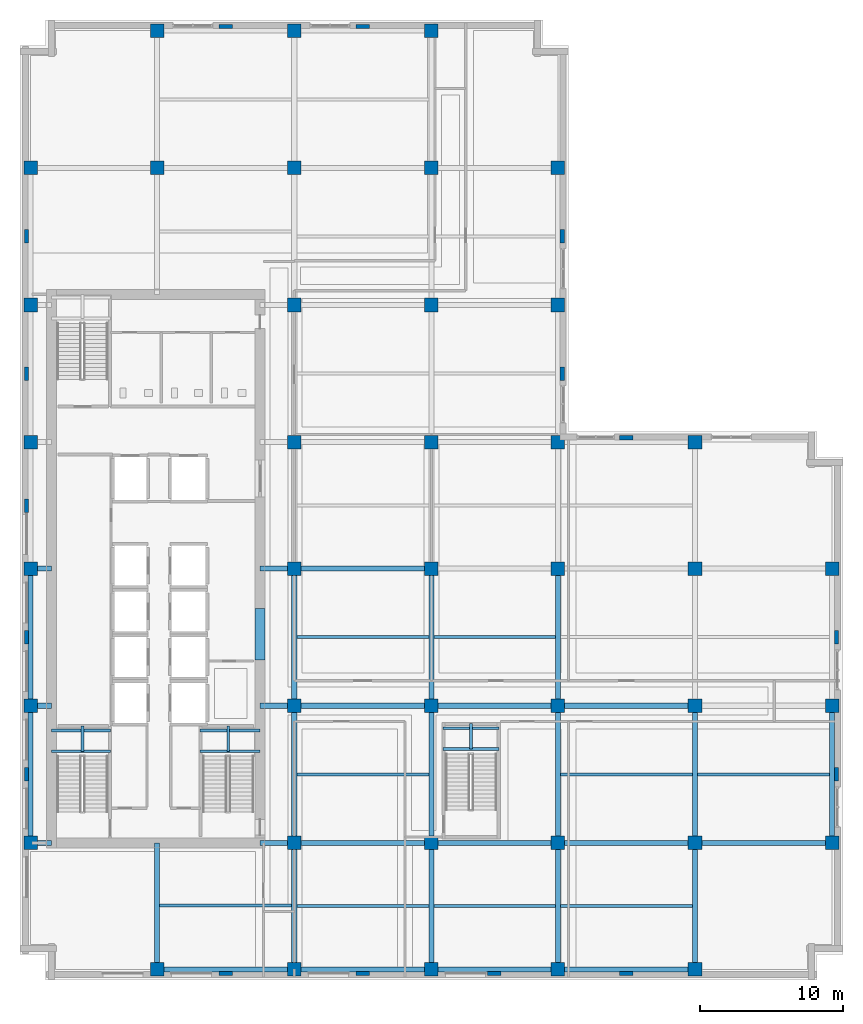
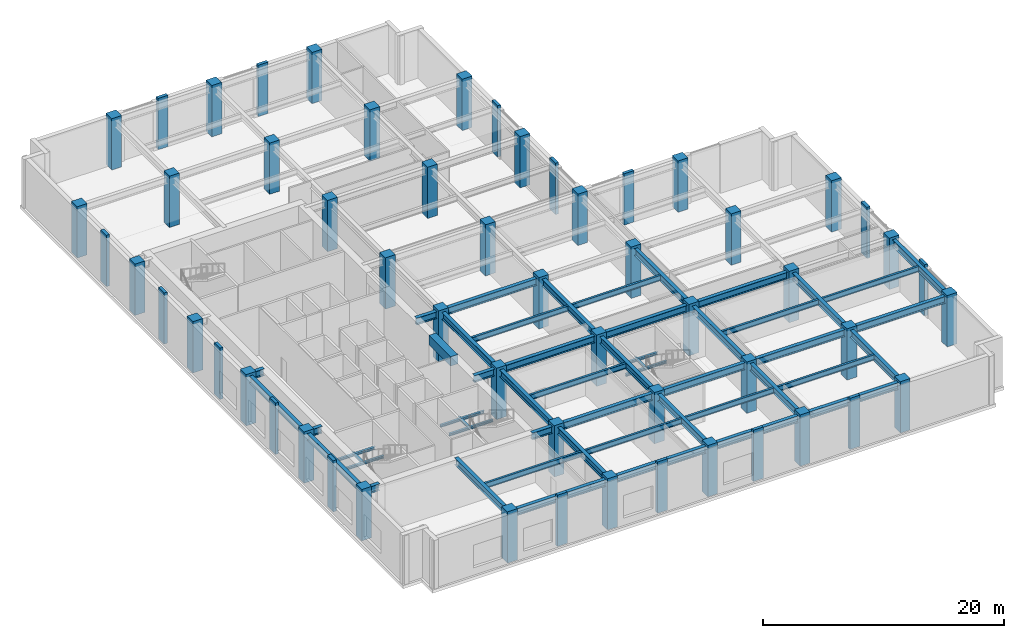
# One storey, part 1 of 18: 56 columns, 52 beams.
"""IFC4 building model written with IfcOpenShell, lengths in metres."""

from ifc_helpers import new_model, si_unit, direction, frame, origin, origin_2d, place, context, subcontext, project, spatial, rectangle, i_section, extrude, material, material_profile, profile_set, type_object, element, save


model = new_model("IFC4")

# Units and contexts
model_context = context("Model", 3, precision=1e-05, world=origin(), true_north=direction((0.0, 1.0)))
body_context = subcontext(model_context, "Body", "Model", "MODEL_VIEW")
ifc_project = project(units=[si_unit("LENGTHUNIT", "METRE"), si_unit("AREAUNIT", "SQUARE_METRE"), si_unit("VOLUMEUNIT", "CUBIC_METRE"), si_unit("PLANEANGLEUNIT", "RADIAN"), si_unit("MASSUNIT", "GRAM", prefix="KILO")], contexts=[model_context])

# Site, building, storey
site_placement = place(None, origin())
site = spatial("IfcSite", under=ifc_project, at=site_placement, CompositionType="ELEMENT")
building_placement = place(site_placement, origin())
building = spatial("IfcBuilding", under=site, at=building_placement, Name="Norrvale University Quadrangle", CompositionType="ELEMENT")
storey_placement = place(building_placement, frame((0.0, 0.0, 150.800048828125)))
storey = spatial("IfcBuildingStorey", under=building, at=storey_placement, Name="L38", CompositionType="ELEMENT", Elevation=150.800048828125)

# Columns
ifc_material_1 = material(Name="Red Manganese Brick Concrete C60/75", Category="concrete")
ifc_material_profile_1 = material_profile(ifc_material_1, rectangle(XDim=0.949951171875, YDim=0.300048828125, at=origin_2d()), Name="Red Manganese Brick Concrete C60/75")
ifc_profile_set_1 = profile_set([ifc_material_profile_1], Name="Red Manganese Brick Concrete C60/75")
column_type_1 = type_object("IfcColumnType", Name="Column Brick Pier 950x300", PredefinedType="PILASTER", material=ifc_profile_set_1)
for number, where, z_axis, x_axis, name in (
    (1, (0.449951171875, 14.39990234375, 0.0), (0.0, 0.0, 1.0), (0.0, 1.0, 0.0), "Exterior Brick Facade Pilaster L38-01"),
    (2, (0.449951171875, 24.0, 0.0), (0.0, 0.0, 1.0), (0.0, 1.0, 0.0), "Exterior Brick Facade Pilaster L38-02"),
    (3, (0.449951171875, 33.199951171875, 0.0), (0.0, 0.0, 1.0), (0.0, 1.0, 0.0), "Exterior Brick Facade Pilaster L38-03"),
    (4, (0.449951171875, 42.449951171875, 0.0), (0.0, 0.0, 1.0), (0.0, 1.0, 0.0), "Exterior Brick Facade Pilaster L38-04"),
    (5, (0.449951171875, 52.050048828125, 0.0), (0.0, 0.0, 1.0), (0.0, 1.0, 0.0), "Exterior Brick Facade Pilaster L38-05"),
    (6, (14.39990234375, 0.449951171875, 0.0), (0.0, 0.0, 1.0), (1.0, 0.0, 0.0), "Exterior Brick Facade Pilaster L38-06"),
    (7, (24.0, 0.449951171875, 0.0), (0.0, 0.0, 1.0), (1.0, 0.0, 0.0), "Exterior Brick Facade Pilaster L38-07"),
    (8, (33.199951171875, 0.449951171875, 0.0), (0.0, 0.0, 1.0), (1.0, 0.0, 0.0), "Exterior Brick Facade Pilaster L38-08"),
    (9, (42.449951171875, 0.449951171875, 0.0), (0.0, 0.0, 1.0), (1.0, 0.0, 0.0), "Exterior Brick Facade Pilaster L38-09"),
    (10, (57.14990234375, 14.39990234375, 0.0), (0.0, 0.0, 1.0), (0.0, 1.0, 0.0), "Exterior Brick Facade Pilaster L38-10"),
    (11, (57.14990234375, 24.0, 0.0), (0.0, 0.0, 1.0), (0.0, 1.0, 0.0), "Exterior Brick Facade Pilaster L38-11"),
    (12, (14.39990234375, 66.75, 0.0), (0.0, 0.0, 1.0), (1.0, 0.0, 0.0), "Exterior Brick Facade Pilaster L38-12"),
    (13, (24.0, 66.75, 0.0), (0.0, 0.0, 1.0), (1.0, 0.0, 0.0), "Exterior Brick Facade Pilaster L38-13"),
    (14, (37.949951171875, 42.449951171875, 0.0), (0.0, 0.0, 1.0), (0.0, 1.0, 0.0), "Exterior Brick Facade Pilaster L38-14"),
    (15, (37.949951171875, 52.050048828125, 0.0), (0.0, 0.0, 1.0), (0.0, 1.0, 0.0), "Exterior Brick Facade Pilaster L38-15"),
    (16, (42.449951171875, 37.949951171875, 0.0), (0.0, 0.0, 1.0), (1.0, 0.0, 0.0), "Exterior Brick Facade Pilaster L38-16"),
):
    element("IfcColumn", number, at=place(storey_placement, frame(where, z_axis=z_axis, x_axis=x_axis)), inside=storey, type_object=column_type_1, Name=name, PredefinedType="PILASTER", context=body_context, shape_type="SweptSolid", body=[
        extrude(rectangle(XDim=0.949951171875, YDim=0.300048828125, at=origin_2d()), origin(), (0.0, 0.0, 1.0), 5.199951171875),
    ])
ifc_material_2 = material(Name="Concrete C60/75", Category="concrete")
ifc_material_profile_2 = material_profile(ifc_material_2, rectangle(XDim=0.949951171875, YDim=0.949951171875, at=origin_2d()), Name="Concrete C60/75")
ifc_profile_set_2 = profile_set([ifc_material_profile_2], Name="Concrete C60/75")
column_type_2 = type_object("IfcColumnType", Name="Column Tower Z2 950x950", PredefinedType="COLUMN", material=ifc_profile_set_2)
for number, where, z_axis, x_axis, name in (
    (17, (0.75, 9.60009765625, 0.0), (0.0, 0.0, 1.0), (1.0, 0.0, 0.0), "Tower Column L38-T01"),
    (18, (0.75, 19.199951171875, 0.0), (0.0, 0.0, 1.0), (1.0, 0.0, 0.0), "Tower Column L38-T02"),
    (19, (0.75, 28.800048828125, 0.0), (0.0, 0.0, 1.0), (1.0, 0.0, 0.0), "Tower Column L38-T03"),
    (20, (0.75, 37.64990234375, 0.0), (0.0, 0.0, 1.0), (1.0, 0.0, 0.0), "Tower Column L38-T04"),
    (21, (0.75, 47.25, 0.0), (0.0, 0.0, 1.0), (1.0, 0.0, 0.0), "Tower Column L38-T05"),
    (22, (0.75, 56.85009765625, 0.0), (0.0, 0.0, 1.0), (1.0, 0.0, 0.0), "Tower Column L38-T06"),
    (23, (9.60009765625, 0.75, 0.0), (0.0, 0.0, 1.0), (1.0, 0.0, 0.0), "Tower Column L38-T07"),
    (24, (9.60009765625, 56.85009765625, 0.0), (0.0, 0.0, 1.0), (1.0, 0.0, 0.0), "Tower Column L38-T08"),
    (25, (9.60009765625, 66.449951171875, 0.0), (0.0, 0.0, 1.0), (1.0, 0.0, 0.0), "Tower Column L38-T09"),
    (26, (19.199951171875, 0.75, 0.0), (0.0, 0.0, 1.0), (1.0, 0.0, 0.0), "Tower Column L38-T10"),
    (27, (19.199951171875, 9.60009765625, 0.0), (0.0, 0.0, 1.0), (1.0, 0.0, 0.0), "Tower Column L38-T11"),
    (28, (19.199951171875, 19.199951171875, 0.0), (0.0, 0.0, 1.0), (1.0, 0.0, 0.0), "Tower Column L38-T12"),
    (29, (19.199951171875, 28.800048828125, 0.0), (0.0, 0.0, 1.0), (1.0, 0.0, 0.0), "Tower Column L38-T13"),
    (30, (19.199951171875, 37.64990234375, 0.0), (0.0, 0.0, 1.0), (1.0, 0.0, 0.0), "Tower Column L38-T14"),
    (31, (19.199951171875, 47.25, 0.0), (0.0, 0.0, 1.0), (1.0, 0.0, 0.0), "Tower Column L38-T15"),
    (32, (19.199951171875, 56.85009765625, 0.0), (0.0, 0.0, 1.0), (1.0, 0.0, 0.0), "Tower Column L38-T16"),
    (33, (19.199951171875, 66.449951171875, 0.0), (0.0, 0.0, 1.0), (1.0, 0.0, 0.0), "Tower Column L38-T17"),
    (34, (28.800048828125, 0.75, 0.0), (0.0, 0.0, 1.0), (1.0, 0.0, 0.0), "Tower Column L38-T18"),
    (35, (28.800048828125, 9.60009765625, 0.0), (0.0, 0.0, 1.0), (1.0, 0.0, 0.0), "Tower Column L38-T19"),
    (36, (28.800048828125, 19.199951171875, 0.0), (0.0, 0.0, 1.0), (1.0, 0.0, 0.0), "Tower Column L38-T20"),
    (37, (28.800048828125, 28.800048828125, 0.0), (0.0, 0.0, 1.0), (1.0, 0.0, 0.0), "Tower Column L38-T21"),
    (38, (28.800048828125, 37.64990234375, 0.0), (0.0, 0.0, 1.0), (1.0, 0.0, 0.0), "Tower Column L38-T22"),
    (39, (28.800048828125, 47.25, 0.0), (0.0, 0.0, 1.0), (1.0, 0.0, 0.0), "Tower Column L38-T23"),
    (40, (28.800048828125, 56.85009765625, 0.0), (0.0, 0.0, 1.0), (1.0, 0.0, 0.0), "Tower Column L38-T24"),
    (41, (28.800048828125, 66.449951171875, 0.0), (0.0, 0.0, 1.0), (1.0, 0.0, 0.0), "Tower Column L38-T25"),
    (42, (37.64990234375, 0.75, 0.0), (0.0, 0.0, 1.0), (1.0, 0.0, 0.0), "Tower Column L38-T26"),
    (43, (37.64990234375, 9.60009765625, 0.0), (0.0, 0.0, 1.0), (1.0, 0.0, 0.0), "Tower Column L38-T27"),
    (44, (37.64990234375, 19.199951171875, 0.0), (0.0, 0.0, 1.0), (1.0, 0.0, 0.0), "Tower Column L38-T28"),
    (45, (37.64990234375, 28.800048828125, 0.0), (0.0, 0.0, 1.0), (1.0, 0.0, 0.0), "Tower Column L38-T29"),
    (46, (37.64990234375, 37.64990234375, 0.0), (0.0, 0.0, 1.0), (1.0, 0.0, 0.0), "Tower Column L38-T30"),
    (47, (37.64990234375, 47.25, 0.0), (0.0, 0.0, 1.0), (1.0, 0.0, 0.0), "Tower Column L38-T31"),
    (48, (37.64990234375, 56.85009765625, 0.0), (0.0, 0.0, 1.0), (1.0, 0.0, 0.0), "Tower Column L38-T32"),
    (49, (47.25, 0.75, 0.0), (0.0, 0.0, 1.0), (1.0, 0.0, 0.0), "Tower Column L38-T33"),
    (50, (47.25, 9.60009765625, 0.0), (0.0, 0.0, 1.0), (1.0, 0.0, 0.0), "Tower Column L38-T34"),
    (51, (47.25, 19.199951171875, 0.0), (0.0, 0.0, 1.0), (1.0, 0.0, 0.0), "Tower Column L38-T35"),
    (52, (47.25, 28.800048828125, 0.0), (0.0, 0.0, 1.0), (1.0, 0.0, 0.0), "Tower Column L38-T36"),
    (53, (47.25, 37.64990234375, 0.0), (0.0, 0.0, 1.0), (1.0, 0.0, 0.0), "Tower Column L38-T37"),
    (54, (56.85009765625, 9.60009765625, 0.0), (0.0, 0.0, 1.0), (1.0, 0.0, 0.0), "Tower Column L38-T38"),
    (55, (56.85009765625, 19.199951171875, 0.0), (0.0, 0.0, 1.0), (1.0, 0.0, 0.0), "Tower Column L38-T39"),
    (56, (56.85009765625, 28.800048828125, 0.0), (0.0, 0.0, 1.0), (1.0, 0.0, 0.0), "Tower Column L38-T40"),
):
    element("IfcColumn", number, at=place(storey_placement, frame(where, z_axis=z_axis, x_axis=x_axis)), inside=storey, type_object=column_type_2, Name=name, PredefinedType="COLUMN", context=body_context, shape_type="SweptSolid", body=[
        extrude(rectangle(XDim=0.949951171875, YDim=0.949951171875, at=origin_2d()), origin(), (0.0, 0.0, 1.0), 5.199951171875),
    ])

# Beams
ifc_material_3 = material(Name="Steel 350W", Category="steel")
ifc_material_profile_3 = material_profile(ifc_material_3, i_section(OverallWidth=0.35498046875, OverallDepth=0.695068359375, WebThickness=0.015380859375, FlangeThickness=0.02490234375, FilletRadius=0.01806640625, at=origin_2d()), Name="Steel 350W")
ifc_profile_set_3 = profile_set([ifc_material_profile_3], Name="Steel 350W")
beam_type_1 = type_object("IfcBeamType", Name="Beam Belt W690x217", PredefinedType="BEAM", material=ifc_profile_set_3)
beam_1_placement = place(storey_placement, frame((9.60009765625, 0.75, 4.592529296875), z_axis=(1.0, 0.0, 0.0), x_axis=(0.0, 1.0, 0.0)))
element("IfcBeam", 57, at=beam_1_placement, inside=storey, type_object=beam_type_1, Name="Beam Belt W690x217 BM-L38-GX001", PredefinedType="BEAM", context=body_context, shape_type="SweptSolid", body=[
    extrude(i_section(OverallWidth=0.35498046875, OverallDepth=0.695068359375, WebThickness=0.015380859375, FlangeThickness=0.02490234375, FilletRadius=0.01806640625, at=origin_2d()), origin(), (0.0, 0.0, 1.0), 9.599853515625),
])
beam_2_placement = place(storey_placement, frame((19.199951171875, 0.75, 4.592529296875), z_axis=(1.0, 0.0, 0.0), x_axis=(0.0, 1.0, 0.0)))
element("IfcBeam", 58, at=beam_2_placement, inside=storey, type_object=beam_type_1, Name="Beam Belt W690x217 BM-L38-GX002", PredefinedType="BEAM", context=body_context, shape_type="SweptSolid", body=[
    extrude(i_section(OverallWidth=0.35498046875, OverallDepth=0.695068359375, WebThickness=0.015380859375, FlangeThickness=0.02490234375, FilletRadius=0.01806640625, at=origin_2d()), origin(), (0.0, 0.0, 1.0), 9.60009765625),
])
beam_3_placement = place(storey_placement, frame((28.800048828125, 0.75, 4.592529296875), z_axis=(1.0, 0.0, 0.0), x_axis=(0.0, 1.0, 0.0)))
element("IfcBeam", 59, at=beam_3_placement, inside=storey, type_object=beam_type_1, Name="Beam Belt W690x217 BM-L38-GX003", PredefinedType="BEAM", context=body_context, shape_type="SweptSolid", body=[
    extrude(i_section(OverallWidth=0.35498046875, OverallDepth=0.695068359375, WebThickness=0.015380859375, FlangeThickness=0.02490234375, FilletRadius=0.01806640625, at=origin_2d()), origin(), (0.0, 0.0, 1.0), 8.849853515625),
])
for number, where, z_axis, x_axis, name in (
    (60, (37.64990234375, 0.75, 4.592529296875), (1.0, 0.0, 0.0), (0.0, 1.0, 0.0), "Beam Belt W690x217 BM-L38-GX004"),
    (61, (19.199951171875, 9.60009765625, 4.592529296875), (1.0, 0.0, 0.0), (0.0, 1.0, 0.0), "Beam Belt W690x217 BM-L38-GX005"),
):
    element("IfcBeam", number, at=place(storey_placement, frame(where, z_axis=z_axis, x_axis=x_axis)), inside=storey, type_object=beam_type_1, Name=name, PredefinedType="BEAM", context=body_context, shape_type="SweptSolid", body=[
        extrude(i_section(OverallWidth=0.35498046875, OverallDepth=0.695068359375, WebThickness=0.015380859375, FlangeThickness=0.02490234375, FilletRadius=0.01806640625, at=origin_2d()), origin(), (0.0, 0.0, 1.0), 9.60009765625),
    ])
beam_4_placement = place(storey_placement, frame((28.800048828125, 9.60009765625, 4.592529296875), z_axis=(1.0, 0.0, 0.0), x_axis=(0.0, 1.0, 0.0)))
element("IfcBeam", 62, at=beam_4_placement, inside=storey, type_object=beam_type_1, Name="Beam Belt W690x217 BM-L38-GX006", PredefinedType="BEAM", context=body_context, shape_type="SweptSolid", body=[
    extrude(i_section(OverallWidth=0.35498046875, OverallDepth=0.695068359375, WebThickness=0.015380859375, FlangeThickness=0.02490234375, FilletRadius=0.01806640625, at=origin_2d()), origin(), (0.0, 0.0, 1.0), 8.849853515625),
])
for number, where, z_axis, x_axis, name in (
    (63, (37.64990234375, 9.60009765625, 4.592529296875), (1.0, 0.0, 0.0), (0.0, 1.0, 0.0), "Beam Belt W690x217 BM-L38-GX007"),
    (64, (47.25, 9.60009765625, 4.592529296875), (1.0, 0.0, 0.0), (0.0, 1.0, 0.0), "Beam Belt W690x217 BM-L38-GX008"),
    (65, (19.199951171875, 19.199951171875, 4.592529296875), (1.0, 0.0, 0.0), (0.0, 1.0, 0.0), "Beam Belt W690x217 BM-L38-GX009"),
):
    element("IfcBeam", number, at=place(storey_placement, frame(where, z_axis=z_axis, x_axis=x_axis)), inside=storey, type_object=beam_type_1, Name=name, PredefinedType="BEAM", context=body_context, shape_type="SweptSolid", body=[
        extrude(i_section(OverallWidth=0.35498046875, OverallDepth=0.695068359375, WebThickness=0.015380859375, FlangeThickness=0.02490234375, FilletRadius=0.01806640625, at=origin_2d()), origin(), (0.0, 0.0, 1.0), 9.60009765625),
    ])
beam_5_placement = place(storey_placement, frame((28.800048828125, 19.199951171875, 4.592529296875), z_axis=(1.0, 0.0, 0.0), x_axis=(0.0, 1.0, 0.0)))
element("IfcBeam", 66, at=beam_5_placement, inside=storey, type_object=beam_type_1, Name="Beam Belt W690x217 BM-L38-GX010", PredefinedType="BEAM", context=body_context, shape_type="SweptSolid", body=[
    extrude(i_section(OverallWidth=0.35498046875, OverallDepth=0.695068359375, WebThickness=0.015380859375, FlangeThickness=0.02490234375, FilletRadius=0.01806640625, at=origin_2d()), origin(), (0.0, 0.0, 1.0), 8.849853515625),
])
for number, where, z_axis, x_axis, name in (
    (67, (37.64990234375, 19.199951171875, 4.592529296875), (1.0, 0.0, 0.0), (0.0, 1.0, 0.0), "Beam Belt W690x217 BM-L38-GX011"),
    (68, (19.199951171875, 28.800048828125, 4.592529296875), (1.0, 0.0, 0.0), (0.0, 1.0, 0.0), "Beam Belt W690x217 BM-L38-GX013"),
):
    element("IfcBeam", number, at=place(storey_placement, frame(where, z_axis=z_axis, x_axis=x_axis)), inside=storey, type_object=beam_type_1, Name=name, PredefinedType="BEAM", context=body_context, shape_type="SweptSolid", body=[
        extrude(i_section(OverallWidth=0.35498046875, OverallDepth=0.695068359375, WebThickness=0.015380859375, FlangeThickness=0.02490234375, FilletRadius=0.01806640625, at=origin_2d()), origin(), (0.0, 0.0, 1.0), 9.60009765625),
    ])
beam_6_placement = place(storey_placement, frame((0.75, 9.60009765625, 4.592529296875), z_axis=(0.0, 1.0, 0.0), x_axis=(-1.0, 0.0, 0.0)))
element("IfcBeam", 69, at=beam_6_placement, inside=storey, type_object=beam_type_1, Name="Beam Belt W690x217 BM-L38-GY028", PredefinedType="BEAM", context=body_context, shape_type="SweptSolid", body=[
    extrude(i_section(OverallWidth=0.35498046875, OverallDepth=0.695068359375, WebThickness=0.015380859375, FlangeThickness=0.02490234375, FilletRadius=0.01806640625, at=origin_2d()), origin(), (0.0, 0.0, 1.0), 9.599853515625),
])
beam_7_placement = place(storey_placement, frame((0.75, 19.199951171875, 4.592529296875), z_axis=(0.0, 1.0, 0.0), x_axis=(-1.0, 0.0, 0.0)))
element("IfcBeam", 70, at=beam_7_placement, inside=storey, type_object=beam_type_1, Name="Beam Belt W690x217 BM-L38-GY029", PredefinedType="BEAM", context=body_context, shape_type="SweptSolid", body=[
    extrude(i_section(OverallWidth=0.35498046875, OverallDepth=0.695068359375, WebThickness=0.015380859375, FlangeThickness=0.02490234375, FilletRadius=0.01806640625, at=origin_2d()), origin(), (0.0, 0.0, 1.0), 9.60009765625),
])
beam_8_placement = place(storey_placement, frame((19.199951171875, 0.75, 4.592529296875), z_axis=(0.0, 1.0, 0.0), x_axis=(-1.0, 0.0, 0.0)))
element("IfcBeam", 71, at=beam_8_placement, inside=storey, type_object=beam_type_1, Name="Beam Belt W690x217 BM-L38-GY034", PredefinedType="BEAM", context=body_context, shape_type="SweptSolid", body=[
    extrude(i_section(OverallWidth=0.35498046875, OverallDepth=0.695068359375, WebThickness=0.015380859375, FlangeThickness=0.02490234375, FilletRadius=0.01806640625, at=origin_2d()), origin(), (0.0, 0.0, 1.0), 8.85009765625),
])
beam_9_placement = place(storey_placement, frame((19.199951171875, 9.60009765625, 4.592529296875), z_axis=(0.0, 1.0, 0.0), x_axis=(-1.0, 0.0, 0.0)))
element("IfcBeam", 72, at=beam_9_placement, inside=storey, type_object=beam_type_1, Name="Beam Belt W690x217 BM-L38-GY035", PredefinedType="BEAM", context=body_context, shape_type="SweptSolid", body=[
    extrude(i_section(OverallWidth=0.35498046875, OverallDepth=0.695068359375, WebThickness=0.015380859375, FlangeThickness=0.02490234375, FilletRadius=0.01806640625, at=origin_2d()), origin(), (0.0, 0.0, 1.0), 9.599853515625),
])
beam_10_placement = place(storey_placement, frame((19.199951171875, 19.199951171875, 4.592529296875), z_axis=(0.0, 1.0, 0.0), x_axis=(-1.0, 0.0, 0.0)))
element("IfcBeam", 73, at=beam_10_placement, inside=storey, type_object=beam_type_1, Name="Beam Belt W690x217 BM-L38-GY036", PredefinedType="BEAM", context=body_context, shape_type="SweptSolid", body=[
    extrude(i_section(OverallWidth=0.35498046875, OverallDepth=0.695068359375, WebThickness=0.015380859375, FlangeThickness=0.02490234375, FilletRadius=0.01806640625, at=origin_2d()), origin(), (0.0, 0.0, 1.0), 9.60009765625),
])
beam_11_placement = place(storey_placement, frame((28.800048828125, 0.75, 4.592529296875), z_axis=(0.0, 1.0, 0.0), x_axis=(-1.0, 0.0, 0.0)))
element("IfcBeam", 74, at=beam_11_placement, inside=storey, type_object=beam_type_1, Name="Beam Belt W690x217 BM-L38-GY041", PredefinedType="BEAM", context=body_context, shape_type="SweptSolid", body=[
    extrude(i_section(OverallWidth=0.35498046875, OverallDepth=0.695068359375, WebThickness=0.015380859375, FlangeThickness=0.02490234375, FilletRadius=0.01806640625, at=origin_2d()), origin(), (0.0, 0.0, 1.0), 8.85009765625),
])
beam_12_placement = place(storey_placement, frame((28.800048828125, 9.60009765625, 4.592529296875), z_axis=(0.0, 1.0, 0.0), x_axis=(-1.0, 0.0, 0.0)))
element("IfcBeam", 75, at=beam_12_placement, inside=storey, type_object=beam_type_1, Name="Beam Belt W690x217 BM-L38-GY042", PredefinedType="BEAM", context=body_context, shape_type="SweptSolid", body=[
    extrude(i_section(OverallWidth=0.35498046875, OverallDepth=0.695068359375, WebThickness=0.015380859375, FlangeThickness=0.02490234375, FilletRadius=0.01806640625, at=origin_2d()), origin(), (0.0, 0.0, 1.0), 9.599853515625),
])
beam_13_placement = place(storey_placement, frame((28.800048828125, 19.199951171875, 4.592529296875), z_axis=(0.0, 1.0, 0.0), x_axis=(-1.0, 0.0, 0.0)))
element("IfcBeam", 76, at=beam_13_placement, inside=storey, type_object=beam_type_1, Name="Beam Belt W690x217 BM-L38-GY043", PredefinedType="BEAM", context=body_context, shape_type="SweptSolid", body=[
    extrude(i_section(OverallWidth=0.35498046875, OverallDepth=0.695068359375, WebThickness=0.015380859375, FlangeThickness=0.02490234375, FilletRadius=0.01806640625, at=origin_2d()), origin(), (0.0, 0.0, 1.0), 9.60009765625),
])
beam_14_placement = place(storey_placement, frame((37.64990234375, 0.75, 4.592529296875), z_axis=(0.0, 1.0, 0.0), x_axis=(-1.0, 0.0, 0.0)))
element("IfcBeam", 77, at=beam_14_placement, inside=storey, type_object=beam_type_1, Name="Beam Belt W690x217 BM-L38-GY048", PredefinedType="BEAM", context=body_context, shape_type="SweptSolid", body=[
    extrude(i_section(OverallWidth=0.35498046875, OverallDepth=0.695068359375, WebThickness=0.015380859375, FlangeThickness=0.02490234375, FilletRadius=0.01806640625, at=origin_2d()), origin(), (0.0, 0.0, 1.0), 8.85009765625),
])
beam_15_placement = place(storey_placement, frame((37.64990234375, 9.60009765625, 4.592529296875), z_axis=(0.0, 1.0, 0.0), x_axis=(-1.0, 0.0, 0.0)))
element("IfcBeam", 78, at=beam_15_placement, inside=storey, type_object=beam_type_1, Name="Beam Belt W690x217 BM-L38-GY049", PredefinedType="BEAM", context=body_context, shape_type="SweptSolid", body=[
    extrude(i_section(OverallWidth=0.35498046875, OverallDepth=0.695068359375, WebThickness=0.015380859375, FlangeThickness=0.02490234375, FilletRadius=0.01806640625, at=origin_2d()), origin(), (0.0, 0.0, 1.0), 9.599853515625),
])
beam_16_placement = place(storey_placement, frame((37.64990234375, 19.199951171875, 4.592529296875), z_axis=(0.0, 1.0, 0.0), x_axis=(-1.0, 0.0, 0.0)))
element("IfcBeam", 79, at=beam_16_placement, inside=storey, type_object=beam_type_1, Name="Beam Belt W690x217 BM-L38-GY050", PredefinedType="BEAM", context=body_context, shape_type="SweptSolid", body=[
    extrude(i_section(OverallWidth=0.35498046875, OverallDepth=0.695068359375, WebThickness=0.015380859375, FlangeThickness=0.02490234375, FilletRadius=0.01806640625, at=origin_2d()), origin(), (0.0, 0.0, 1.0), 9.60009765625),
])
beam_17_placement = place(storey_placement, frame((47.25, 0.75, 4.592529296875), z_axis=(0.0, 1.0, 0.0), x_axis=(-1.0, 0.0, 0.0)))
element("IfcBeam", 80, at=beam_17_placement, inside=storey, type_object=beam_type_1, Name="Beam Belt W690x217 BM-L38-GY054", PredefinedType="BEAM", context=body_context, shape_type="SweptSolid", body=[
    extrude(i_section(OverallWidth=0.35498046875, OverallDepth=0.695068359375, WebThickness=0.015380859375, FlangeThickness=0.02490234375, FilletRadius=0.01806640625, at=origin_2d()), origin(), (0.0, 0.0, 1.0), 8.85009765625),
])
for number, where, z_axis, x_axis, name in (
    (81, (47.25, 9.60009765625, 4.592529296875), (0.0, 1.0, 0.0), (-1.0, 0.0, 0.0), "Beam Belt W690x217 BM-L38-GY055"),
    (82, (56.85009765625, 9.60009765625, 4.592529296875), (0.0, 1.0, 0.0), (-1.0, 0.0, 0.0), "Beam Belt W690x217 BM-L38-GY058"),
):
    element("IfcBeam", number, at=place(storey_placement, frame(where, z_axis=z_axis, x_axis=x_axis)), inside=storey, type_object=beam_type_1, Name=name, PredefinedType="BEAM", context=body_context, shape_type="SweptSolid", body=[
        extrude(i_section(OverallWidth=0.35498046875, OverallDepth=0.695068359375, WebThickness=0.015380859375, FlangeThickness=0.02490234375, FilletRadius=0.01806640625, at=origin_2d()), origin(), (0.0, 0.0, 1.0), 9.599853515625),
    ])
beam_18_placement = place(storey_placement, frame((0.75, 9.60009765625, 4.592529296875), z_axis=(1.0, 0.0, 0.0), x_axis=(0.0, 1.0, 0.0)))
element("IfcBeam", 83, at=beam_18_placement, inside=storey, type_object=beam_type_1, Name="Beam Belt W690x217 BM-L38-GCW060", PredefinedType="BEAM", context=body_context, shape_type="SweptSolid", body=[
    extrude(i_section(OverallWidth=0.35498046875, OverallDepth=0.695068359375, WebThickness=0.015380859375, FlangeThickness=0.02490234375, FilletRadius=0.01806640625, at=origin_2d()), origin(), (0.0, 0.0, 1.0), 1.449951171875),
])
beam_19_placement = place(storey_placement, frame((16.800048828125, 9.60009765625, 4.592529296875), z_axis=(1.0, 0.0, 0.0), x_axis=(0.0, 1.0, 0.0)))
element("IfcBeam", 84, at=beam_19_placement, inside=storey, type_object=beam_type_1, Name="Beam Belt W690x217 BM-L38-GCE061", PredefinedType="BEAM", context=body_context, shape_type="SweptSolid", body=[
    extrude(i_section(OverallWidth=0.35498046875, OverallDepth=0.695068359375, WebThickness=0.015380859375, FlangeThickness=0.02490234375, FilletRadius=0.01806640625, at=origin_2d()), origin(), (0.0, 0.0, 1.0), 2.39990234375),
])
beam_20_placement = place(storey_placement, frame((0.75, 19.199951171875, 4.592529296875), z_axis=(1.0, 0.0, 0.0), x_axis=(0.0, 1.0, 0.0)))
element("IfcBeam", 85, at=beam_20_placement, inside=storey, type_object=beam_type_1, Name="Beam Belt W690x217 BM-L38-GCW062", PredefinedType="BEAM", context=body_context, shape_type="SweptSolid", body=[
    extrude(i_section(OverallWidth=0.35498046875, OverallDepth=0.695068359375, WebThickness=0.015380859375, FlangeThickness=0.02490234375, FilletRadius=0.01806640625, at=origin_2d()), origin(), (0.0, 0.0, 1.0), 1.449951171875),
])
beam_21_placement = place(storey_placement, frame((16.800048828125, 19.199951171875, 4.592529296875), z_axis=(1.0, 0.0, 0.0), x_axis=(0.0, 1.0, 0.0)))
element("IfcBeam", 86, at=beam_21_placement, inside=storey, type_object=beam_type_1, Name="Beam Belt W690x217 BM-L38-GCE063", PredefinedType="BEAM", context=body_context, shape_type="SweptSolid", body=[
    extrude(i_section(OverallWidth=0.35498046875, OverallDepth=0.695068359375, WebThickness=0.015380859375, FlangeThickness=0.02490234375, FilletRadius=0.01806640625, at=origin_2d()), origin(), (0.0, 0.0, 1.0), 2.39990234375),
])
beam_22_placement = place(storey_placement, frame((0.75, 28.800048828125, 4.592529296875), z_axis=(1.0, 0.0, 0.0), x_axis=(0.0, 1.0, 0.0)))
element("IfcBeam", 87, at=beam_22_placement, inside=storey, type_object=beam_type_1, Name="Beam Belt W690x217 BM-L38-GCW064", PredefinedType="BEAM", context=body_context, shape_type="SweptSolid", body=[
    extrude(i_section(OverallWidth=0.35498046875, OverallDepth=0.695068359375, WebThickness=0.015380859375, FlangeThickness=0.02490234375, FilletRadius=0.01806640625, at=origin_2d()), origin(), (0.0, 0.0, 1.0), 1.449951171875),
])
beam_23_placement = place(storey_placement, frame((16.800048828125, 28.800048828125, 4.592529296875), z_axis=(1.0, 0.0, 0.0), x_axis=(0.0, 1.0, 0.0)))
element("IfcBeam", 88, at=beam_23_placement, inside=storey, type_object=beam_type_1, Name="Beam Belt W690x217 BM-L38-GCE065", PredefinedType="BEAM", context=body_context, shape_type="SweptSolid", body=[
    extrude(i_section(OverallWidth=0.35498046875, OverallDepth=0.695068359375, WebThickness=0.015380859375, FlangeThickness=0.02490234375, FilletRadius=0.01806640625, at=origin_2d()), origin(), (0.0, 0.0, 1.0), 2.39990234375),
])
beam_24_placement = place(storey_placement, frame((9.60009765625, 0.75, 4.592529296875), z_axis=(0.0, 1.0, 0.0), x_axis=(-1.0, 0.0, 0.0)))
element("IfcBeam", 89, at=beam_24_placement, inside=storey, type_object=beam_type_1, Name="Beam Belt W690x217 BM-L38-GCS089", PredefinedType="BEAM", context=body_context, shape_type="SweptSolid", body=[
    extrude(i_section(OverallWidth=0.35498046875, OverallDepth=0.695068359375, WebThickness=0.015380859375, FlangeThickness=0.02490234375, FilletRadius=0.01806640625, at=origin_2d()), origin(), (0.0, 0.0, 1.0), 8.85009765625),
])
ifc_material_4 = material(Name="Concrete C80/95", Category="concrete")
ifc_material_profile_4 = material_profile(ifc_material_4, rectangle(XDim=0.699951171875, YDim=0.949951171875, at=origin_2d()), Name="Concrete C80/95")
ifc_profile_set_4 = profile_set([ifc_material_profile_4], Name="Concrete C80/95")
beam_type_2 = type_object("IfcBeamType", Name="Beam Core Link 700x950", PredefinedType="LINTEL", material=ifc_profile_set_4)
beam_25_placement = place(storey_placement, frame((16.800048828125, 22.39990234375, 4.46484375), z_axis=(0.0, 1.0, 0.0), x_axis=(-1.0, 0.0, 0.0)))
element("IfcBeam", 90, at=beam_25_placement, inside=storey, type_object=beam_type_2, Name="Core Coupling Lintel Beam L38-1", PredefinedType="LINTEL", context=body_context, shape_type="SweptSolid", body=[
    extrude(rectangle(XDim=0.699951171875, YDim=0.949951171875, at=origin_2d()), origin(), (0.0, 0.0, 1.0), 3.60009765625),
])
ifc_material_profile_5 = material_profile(ifc_material_3, i_section(OverallWidth=0.2119140625, OverallDepth=0.5439453125, WebThickness=0.01318359375, FlangeThickness=0.021240234375, FilletRadius=0.013916015625, at=origin_2d()), Name="Steel 350W")
ifc_profile_set_5 = profile_set([ifc_material_profile_5], Name="Steel 350W")
beam_type_3 = type_object("IfcBeamType", Name="Beam Floor W530x123", PredefinedType="BEAM", material=ifc_profile_set_5)
for number, where, z_axis, x_axis, name in (
    (91, (19.37744140625, 5.175048828125, 4.66796875), (1.0, 0.0, 0.0), (0.0, 1.0, 0.0), "Beam Floor W530x123 BM-L38-J071"),
    (92, (19.37744140625, 14.39990234375, 4.66796875), (1.0, 0.0, 0.0), (0.0, 1.0, 0.0), "Beam Floor W530x123 BM-L38-J072"),
    (93, (19.37744140625, 24.0, 4.66796875), (1.0, 0.0, 0.0), (0.0, 1.0, 0.0), "Beam Floor W530x123 BM-L38-J073"),
):
    element("IfcBeam", number, at=place(storey_placement, frame(where, z_axis=z_axis, x_axis=x_axis)), inside=storey, type_object=beam_type_3, Name=name, PredefinedType="BEAM", context=body_context, shape_type="SweptSolid", body=[
        extrude(i_section(OverallWidth=0.2119140625, OverallDepth=0.5439453125, WebThickness=0.01318359375, FlangeThickness=0.021240234375, FilletRadius=0.013916015625, at=origin_2d()), origin(), (0.0, 0.0, 1.0), 9.2451171875),
    ])
for number, where, z_axis, x_axis, name in (
    (94, (28.9775390625, 5.175048828125, 4.66796875), (1.0, 0.0, 0.0), (0.0, 1.0, 0.0), "Beam Floor W530x123 BM-L38-J078"),
    (95, (28.9775390625, 24.0, 4.66796875), (1.0, 0.0, 0.0), (0.0, 1.0, 0.0), "Beam Floor W530x123 BM-L38-J079"),
):
    element("IfcBeam", number, at=place(storey_placement, frame(where, z_axis=z_axis, x_axis=x_axis)), inside=storey, type_object=beam_type_3, Name=name, PredefinedType="BEAM", context=body_context, shape_type="SweptSolid", body=[
        extrude(i_section(OverallWidth=0.2119140625, OverallDepth=0.5439453125, WebThickness=0.01318359375, FlangeThickness=0.021240234375, FilletRadius=0.013916015625, at=origin_2d()), origin(), (0.0, 0.0, 1.0), 8.494873046875),
    ])
for number, where, z_axis, x_axis, name in (
    (96, (37.827392578125, 5.175048828125, 4.66796875), (1.0, 0.0, 0.0), (0.0, 1.0, 0.0), "Beam Floor W530x123 BM-L38-J083"),
    (97, (37.827392578125, 14.39990234375, 4.66796875), (1.0, 0.0, 0.0), (0.0, 1.0, 0.0), "Beam Floor W530x123 BM-L38-J084"),
    (98, (47.427490234375, 14.39990234375, 4.66796875), (1.0, 0.0, 0.0), (0.0, 1.0, 0.0), "Beam Floor W530x123 BM-L38-J087"),
):
    element("IfcBeam", number, at=place(storey_placement, frame(where, z_axis=z_axis, x_axis=x_axis)), inside=storey, type_object=beam_type_3, Name=name, PredefinedType="BEAM", context=body_context, shape_type="SweptSolid", body=[
        extrude(i_section(OverallWidth=0.2119140625, OverallDepth=0.5439453125, WebThickness=0.01318359375, FlangeThickness=0.021240234375, FilletRadius=0.013916015625, at=origin_2d()), origin(), (0.0, 0.0, 1.0), 9.2451171875),
    ])
beam_26_placement = place(storey_placement, frame((9.777587890625, 5.199951171875, 4.66796875), z_axis=(1.0, 0.0, 0.0), x_axis=(0.0, 1.0, 0.0)))
element("IfcBeam", 99, at=beam_26_placement, inside=storey, type_object=beam_type_3, Name="Beam Floor W530x123 BM-L38-JCS090", PredefinedType="BEAM", context=body_context, shape_type="SweptSolid", body=[
    extrude(i_section(OverallWidth=0.2119140625, OverallDepth=0.5439453125, WebThickness=0.01318359375, FlangeThickness=0.021240234375, FilletRadius=0.013916015625, at=origin_2d()), origin(), (0.0, 0.0, 1.0), 9.244873046875),
])
ifc_material_profile_6 = material_profile(ifc_material_3, i_section(OverallWidth=0.201904296875, OverallDepth=0.2470703125, WebThickness=0.00732421875, FlangeThickness=0.010986328125, FilletRadius=0.011962890625, at=origin_2d()), Name="Steel 350W")
ifc_profile_set_6 = profile_set([ifc_material_profile_6], Name="Steel 350W")
beam_type_4 = type_object("IfcBeamType", Name="Beam Stair W250x49", PredefinedType="BEAM", material=ifc_profile_set_6)
for number, where, z_axis, x_axis, name in (
    (100, (2.199951171875, 16.010009765625, 2.2763671875), (1.0, 0.0, 0.0), (0.0, 1.0, 0.0), "Stair Mid-Landing Front Beam ST-01 L38"),
    (101, (2.199951171875, 17.469970703125, 2.2763671875), (1.0, 0.0, 0.0), (0.0, 1.0, 0.0), "Stair Mid-Landing Rear Beam ST-01 L38"),
):
    element("IfcBeam", number, at=place(storey_placement, frame(where, z_axis=z_axis, x_axis=x_axis)), inside=storey, type_object=beam_type_4, Name=name, PredefinedType="BEAM", context=body_context, shape_type="SweptSolid", body=[
        extrude(i_section(OverallWidth=0.201904296875, OverallDepth=0.2470703125, WebThickness=0.00732421875, FlangeThickness=0.010986328125, FilletRadius=0.011962890625, at=origin_2d()), origin(), (0.0, 0.0, 1.0), 4.14013671875),
    ])
for number, where, z_axis, x_axis, name in (
    (102, (12.610107421875, 16.010009765625, 2.2763671875), (1.0, 0.0, 0.0), (0.0, 1.0, 0.0), "Stair Mid-Landing Front Beam ST-03 L38"),
    (103, (12.610107421875, 17.469970703125, 2.2763671875), (1.0, 0.0, 0.0), (0.0, 1.0, 0.0), "Stair Mid-Landing Rear Beam ST-03 L38"),
):
    element("IfcBeam", number, at=place(storey_placement, frame(where, z_axis=z_axis, x_axis=x_axis)), inside=storey, type_object=beam_type_4, Name=name, PredefinedType="BEAM", context=body_context, shape_type="SweptSolid", body=[
        extrude(i_section(OverallWidth=0.201904296875, OverallDepth=0.2470703125, WebThickness=0.00732421875, FlangeThickness=0.010986328125, FilletRadius=0.011962890625, at=origin_2d()), origin(), (0.0, 0.0, 1.0), 4.18994140625),
    ])
for number, where, z_axis, x_axis, name in (
    (104, (29.610107421875, 16.159912109375, 2.2763671875), (1.0, 0.0, 0.0), (0.0, 1.0, 0.0), "Stair Mid-Landing Front Beam ST-04 L38"),
    (105, (29.610107421875, 17.6201171875, 2.2763671875), (1.0, 0.0, 0.0), (0.0, 1.0, 0.0), "Stair Mid-Landing Rear Beam ST-04 L38"),
):
    element("IfcBeam", number, at=place(storey_placement, frame(where, z_axis=z_axis, x_axis=x_axis)), inside=storey, type_object=beam_type_4, Name=name, PredefinedType="BEAM", context=body_context, shape_type="SweptSolid", body=[
        extrude(i_section(OverallWidth=0.201904296875, OverallDepth=0.2470703125, WebThickness=0.00732421875, FlangeThickness=0.010986328125, FilletRadius=0.011962890625, at=origin_2d()), origin(), (0.0, 0.0, 1.0), 3.929931640625),
    ])
ifc_material_profile_7 = material_profile(ifc_material_3, i_section(OverallWidth=0.202880859375, OverallDepth=0.202880859375, WebThickness=0.007080078125, FlangeThickness=0.010986328125, FilletRadius=0.010009765625, at=origin_2d()), Name="Steel 350W")
ifc_profile_set_7 = profile_set([ifc_material_profile_7], Name="Steel 350W")
beam_type_5 = type_object("IfcBeamType", Name="Beam Trim W200x46", PredefinedType="BEAM", material=ifc_profile_set_7)
for number, where, z_axis, x_axis, name in (
    (106, (4.375, 16.010009765625, 2.29833984375), (0.0, 1.0, 0.0), (-1.0, 0.0, 0.0), "Stair Mid-Landing Cross Beam ST-01 L38"),
    (107, (14.574951171875, 16.010009765625, 2.29833984375), (0.0, 1.0, 0.0), (-1.0, 0.0, 0.0), "Stair Mid-Landing Cross Beam ST-03 L38"),
    (108, (31.574951171875, 16.159912109375, 2.29833984375), (0.0, 1.0, 0.0), (-1.0, 0.0, 0.0), "Stair Mid-Landing Cross Beam ST-04 L38"),
):
    element("IfcBeam", number, at=place(storey_placement, frame(where, z_axis=z_axis, x_axis=x_axis)), inside=storey, type_object=beam_type_5, Name=name, PredefinedType="BEAM", context=body_context, shape_type="SweptSolid", body=[
        extrude(i_section(OverallWidth=0.202880859375, OverallDepth=0.202880859375, WebThickness=0.007080078125, FlangeThickness=0.010986328125, FilletRadius=0.010009765625, at=origin_2d()), origin(), (0.0, 0.0, 1.0), 1.780029296875),
    ])

save(model, "model.ifc")
